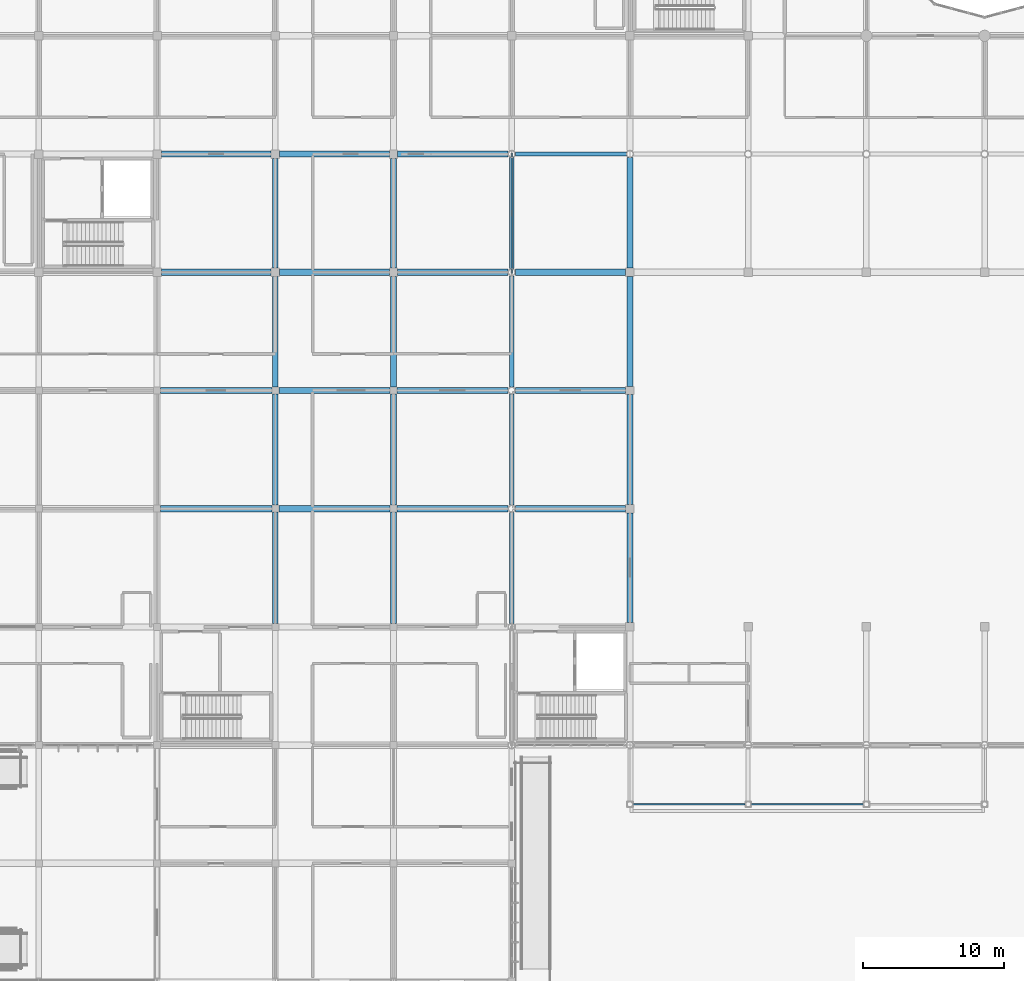
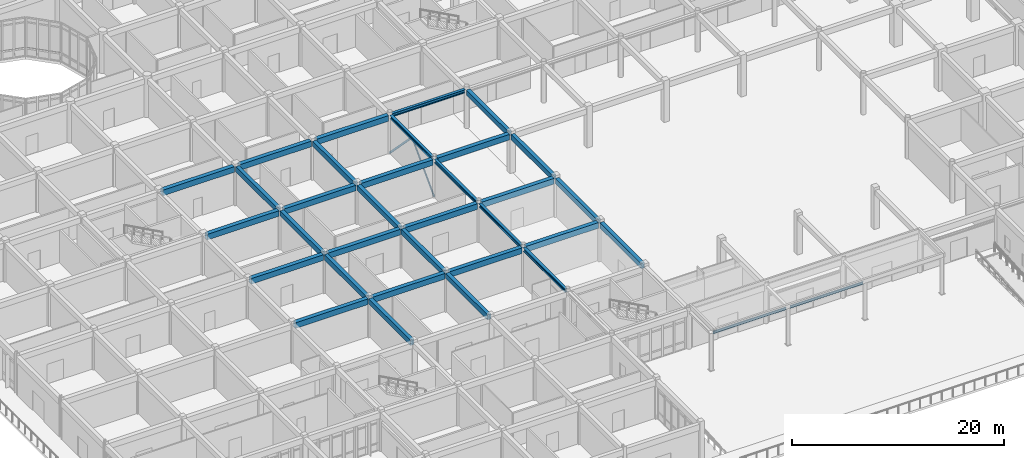
# One storey, part 17 of 138: 34 beams, 2 members.
"""IFC4 building model written with IfcOpenShell, lengths in metres."""

from ifc_helpers import new_model, si_unit, direction, frame, origin, origin_2d, place, context, subcontext, project, spatial, rectangle, hollow_rectangle, i_section, extrude, material, material_profile, profile_set, type_object, element, save


model = new_model("IFC4")

# Units and contexts
model_context = context("Model", 3, precision=1e-05, world=origin(), true_north=direction((0.0, 1.0)))
body_context = subcontext(model_context, "Body", "Model", "MODEL_VIEW")
ifc_project = project(units=[si_unit("LENGTHUNIT", "METRE"), si_unit("AREAUNIT", "SQUARE_METRE"), si_unit("VOLUMEUNIT", "CUBIC_METRE"), si_unit("PLANEANGLEUNIT", "RADIAN"), si_unit("MASSUNIT", "GRAM", prefix="KILO")], contexts=[model_context])

# Site, building, storey
site_placement = place(None, origin())
site = spatial("IfcSite", under=ifc_project, at=site_placement, CompositionType="ELEMENT")
building_placement = place(site_placement, origin())
building = spatial("IfcBuilding", under=site, at=building_placement, Name="Bramfleet General Hospital", CompositionType="ELEMENT")
storey_placement = place(building_placement, origin())
storey = spatial("IfcBuildingStorey", under=building, at=storey_placement, Name="L00", CompositionType="ELEMENT", Elevation=0.0)

# Beams
ifc_material_1 = material(Name="Steel S355", Category="steel")
ifc_material_profile_1 = material_profile(ifc_material_1, i_section(OverallWidth=0.300048828125, OverallDepth=0.389892578125, WebThickness=0.010986328125, FlangeThickness=0.01904296875, FilletRadius=0.027099609375, at=origin_2d()), Name="HEA 400")
ifc_profile_set_1 = profile_set([ifc_material_profile_1], Name="Steel S355")
beam_type_1 = type_object("IfcBeamType", Name="BM-HEA400", PredefinedType="BEAM", material=ifc_profile_set_1)
beam_1_placement = place(storey_placement, frame((50.654052734375, 58.800048828125, 4.304931640625), z_axis=(1.0, 0.0, 0.0), x_axis=(0.0, 1.0, 0.0)))
element("IfcBeam", 1, at=beam_1_placement, inside=storey, type_object=beam_type_1, Name="L00 Grid Beam X 06-07", PredefinedType="BEAM", context=body_context, shape_type="SweptSolid", body=[
    extrude(i_section(OverallWidth=0.300048828125, OverallDepth=0.389892578125, WebThickness=0.010986328125, FlangeThickness=0.01904296875, FilletRadius=0.027099609375, at=origin_2d()), origin(), (0.0, 0.0, 1.0), 7.891845703125),
])
ifc_material_profile_2 = material_profile(ifc_material_1, i_section(OverallWidth=0.300048828125, OverallDepth=0.39990234375, WebThickness=0.013427734375, FlangeThickness=0.02392578125, FilletRadius=0.027099609375, at=origin_2d()), Name="HEB 400")
ifc_profile_set_2 = profile_set([ifc_material_profile_2], Name="Steel S355")
beam_type_2 = type_object("IfcBeamType", Name="BM-HEB400", PredefinedType="BEAM", material=ifc_profile_set_2)
beam_2_placement = place(storey_placement, frame((50.39990234375, 25.4541015625, 4.300048828125), z_axis=(0.0, 1.0, 0.0), x_axis=(-1.0, 0.0, 0.0)))
element("IfcBeam", 2, at=beam_2_placement, inside=storey, type_object=beam_type_2, Name="L00 Grid Beam Y 06-03", PredefinedType="BEAM", context=body_context, shape_type="SweptSolid", body=[
    extrude(i_section(OverallWidth=0.300048828125, OverallDepth=0.39990234375, WebThickness=0.013427734375, FlangeThickness=0.02392578125, FilletRadius=0.027099609375, at=origin_2d()), origin(), (0.0, 0.0, 1.0), 7.891845703125),
])
for number, where, z_axis, x_axis, name in (
    (3, (50.39990234375, 33.85400390625, 4.300048828125), (0.0, 1.0, 0.0), (-1.0, 0.0, 0.0), "L00 Grid Beam Y 06-04"),
    (4, (50.39990234375, 42.25390625, 4.300048828125), (0.0, 1.0, 0.0), (-1.0, 0.0, 0.0), "L00 Grid Beam Y 06-05"),
):
    element("IfcBeam", number, at=place(storey_placement, frame(where, z_axis=z_axis, x_axis=x_axis)), inside=storey, type_object=beam_type_2, Name=name, PredefinedType="BEAM", context=body_context, shape_type="SweptSolid", body=[
        extrude(i_section(OverallWidth=0.300048828125, OverallDepth=0.39990234375, WebThickness=0.013427734375, FlangeThickness=0.02392578125, FilletRadius=0.027099609375, at=origin_2d()), origin(), (0.0, 0.0, 1.0), 7.89208984375),
    ])
beam_3_placement = place(storey_placement, frame((50.39990234375, 50.654052734375, 4.300048828125), z_axis=(0.0, 1.0, 0.0), x_axis=(-1.0, 0.0, 0.0)))
element("IfcBeam", 5, at=beam_3_placement, inside=storey, type_object=beam_type_2, Name="L00 Grid Beam Y 06-06", PredefinedType="BEAM", context=body_context, shape_type="SweptSolid", body=[
    extrude(i_section(OverallWidth=0.300048828125, OverallDepth=0.39990234375, WebThickness=0.013427734375, FlangeThickness=0.02392578125, FilletRadius=0.027099609375, at=origin_2d()), origin(), (0.0, 0.0, 1.0), 7.891845703125),
])
ifc_material_profile_3 = material_profile(ifc_material_1, i_section(OverallWidth=0.135009765625, OverallDepth=0.27001953125, WebThickness=0.006591796875, FlangeThickness=0.01025390625, FilletRadius=0.014892578125, at=origin_2d()), Name="IPE 270")
ifc_profile_set_3 = profile_set([ifc_material_profile_3], Name="Steel S355")
beam_type_3 = type_object("IfcBeamType", Name="BM-IPE270", PredefinedType="JOIST", material=ifc_profile_set_3)
for number, where, z_axis, x_axis, name in (
    (6, (59.010009765625, 12.60009765625, 4.2451171875), (1.0, 0.0, 0.0), (0.0, 1.0, 0.0), "Canopy Edge Beam 1"),
    (7, (67.409912109375, 12.60009765625, 4.2451171875), (1.0, 0.0, 0.0), (0.0, 1.0, 0.0), "Canopy Edge Beam 2"),
):
    element("IfcBeam", number, at=place(storey_placement, frame(where, z_axis=z_axis, x_axis=x_axis)), inside=storey, type_object=beam_type_3, Name=name, PredefinedType="JOIST", context=body_context, shape_type="SweptSolid", body=[
        extrude(i_section(OverallWidth=0.135009765625, OverallDepth=0.27001953125, WebThickness=0.006591796875, FlangeThickness=0.01025390625, FilletRadius=0.014892578125, at=origin_2d()), origin(), (0.0, 0.0, 1.0), 7.97998046875),
    ])
ifc_material_2 = material(Name="Concrete C35/45", Category="concrete")
ifc_material_profile_4 = material_profile(ifc_material_2, rectangle(XDim=0.39990234375, YDim=0.60009765625, at=origin_2d()), Name="RC BM 600x400")
ifc_profile_set_4 = profile_set([ifc_material_profile_4], Name="Concrete C35/45")
beam_type_4 = type_object("IfcBeamType", Name="BM-RC600", PredefinedType="BEAM", material=ifc_profile_set_4)
beam_4_placement = place(storey_placement, frame((33.60009765625, 25.449951171875, 4.199951171875), z_axis=(0.0, 1.0, 0.0), x_axis=(-1.0, 0.0, 0.0)))
element("IfcBeam", 8, at=beam_4_placement, inside=storey, type_object=beam_type_4, Name="L00 Grid Beam Y 04-03", PredefinedType="BEAM", context=body_context, shape_type="SweptSolid", body=[
    extrude(rectangle(XDim=0.39990234375, YDim=0.60009765625, at=origin_2d()), origin(), (0.0, 0.0, 1.0), 7.900146484375),
])
beam_5_placement = place(storey_placement, frame((33.60009765625, 33.85009765625, 4.199951171875), z_axis=(0.0, 1.0, 0.0), x_axis=(-1.0, 0.0, 0.0)))
element("IfcBeam", 9, at=beam_5_placement, inside=storey, type_object=beam_type_4, Name="L00 Grid Beam Y 04-04", PredefinedType="BEAM", context=body_context, shape_type="SweptSolid", body=[
    extrude(rectangle(XDim=0.39990234375, YDim=0.60009765625, at=origin_2d()), origin(), (0.0, 0.0, 1.0), 7.89990234375),
])
beam_6_placement = place(storey_placement, frame((33.60009765625, 42.25, 4.199951171875), z_axis=(0.0, 1.0, 0.0), x_axis=(-1.0, 0.0, 0.0)))
element("IfcBeam", 10, at=beam_6_placement, inside=storey, type_object=beam_type_4, Name="L00 Grid Beam Y 04-05", PredefinedType="BEAM", context=body_context, shape_type="SweptSolid", body=[
    extrude(rectangle(XDim=0.39990234375, YDim=0.60009765625, at=origin_2d()), origin(), (0.0, 0.0, 1.0), 7.85009765625),
])
beam_7_placement = place(storey_placement, frame((33.60009765625, 50.699951171875, 4.199951171875), z_axis=(0.0, 1.0, 0.0), x_axis=(-1.0, 0.0, 0.0)))
element("IfcBeam", 11, at=beam_7_placement, inside=storey, type_object=beam_type_4, Name="L00 Grid Beam Y 04-06", PredefinedType="BEAM", context=body_context, shape_type="SweptSolid", body=[
    extrude(rectangle(XDim=0.39990234375, YDim=0.60009765625, at=origin_2d()), origin(), (0.0, 0.0, 1.0), 7.800048828125),
])
beam_8_placement = place(storey_placement, frame((42.0, 25.449951171875, 4.199951171875), z_axis=(0.0, 1.0, 0.0), x_axis=(-1.0, 0.0, 0.0)))
element("IfcBeam", 12, at=beam_8_placement, inside=storey, type_object=beam_type_4, Name="L00 Grid Beam Y 05-03", PredefinedType="BEAM", context=body_context, shape_type="SweptSolid", body=[
    extrude(rectangle(XDim=0.39990234375, YDim=0.60009765625, at=origin_2d()), origin(), (0.0, 0.0, 1.0), 7.900146484375),
])
beam_9_placement = place(storey_placement, frame((42.0, 33.85009765625, 4.199951171875), z_axis=(0.0, 1.0, 0.0), x_axis=(-1.0, 0.0, 0.0)))
element("IfcBeam", 13, at=beam_9_placement, inside=storey, type_object=beam_type_4, Name="L00 Grid Beam Y 05-04", PredefinedType="BEAM", context=body_context, shape_type="SweptSolid", body=[
    extrude(rectangle(XDim=0.39990234375, YDim=0.60009765625, at=origin_2d()), origin(), (0.0, 0.0, 1.0), 7.89990234375),
])
beam_10_placement = place(storey_placement, frame((42.0, 42.25, 4.199951171875), z_axis=(0.0, 1.0, 0.0), x_axis=(-1.0, 0.0, 0.0)))
element("IfcBeam", 14, at=beam_10_placement, inside=storey, type_object=beam_type_4, Name="L00 Grid Beam Y 05-05", PredefinedType="BEAM", context=body_context, shape_type="SweptSolid", body=[
    extrude(rectangle(XDim=0.39990234375, YDim=0.60009765625, at=origin_2d()), origin(), (0.0, 0.0, 1.0), 7.85009765625),
])
for number, where, z_axis, x_axis, name in (
    (15, (42.0, 50.699951171875, 4.199951171875), (0.0, 1.0, 0.0), (-1.0, 0.0, 0.0), "L00 Grid Beam Y 05-06"),
    (16, (58.800048828125, 25.5, 4.199951171875), (0.0, 1.0, 0.0), (-1.0, 0.0, 0.0), "L00 Grid Beam Y 07-03"),
    (17, (58.800048828125, 33.89990234375, 4.199951171875), (0.0, 1.0, 0.0), (-1.0, 0.0, 0.0), "L00 Grid Beam Y 07-04"),
    (18, (58.800048828125, 42.300048828125, 4.199951171875), (0.0, 1.0, 0.0), (-1.0, 0.0, 0.0), "L00 Grid Beam Y 07-05"),
):
    element("IfcBeam", number, at=place(storey_placement, frame(where, z_axis=z_axis, x_axis=x_axis)), inside=storey, type_object=beam_type_4, Name=name, PredefinedType="BEAM", context=body_context, shape_type="SweptSolid", body=[
        extrude(rectangle(XDim=0.39990234375, YDim=0.60009765625, at=origin_2d()), origin(), (0.0, 0.0, 1.0), 7.800048828125),
    ])
beam_11_placement = place(storey_placement, frame((58.800048828125, 50.699951171875, 4.199951171875), z_axis=(0.0, 1.0, 0.0), x_axis=(-1.0, 0.0, 0.0)))
element("IfcBeam", 19, at=beam_11_placement, inside=storey, type_object=beam_type_4, Name="L00 Grid Beam Y 07-06", PredefinedType="BEAM", context=body_context, shape_type="SweptSolid", body=[
    extrude(rectangle(XDim=0.39990234375, YDim=0.60009765625, at=origin_2d()), origin(), (0.0, 0.0, 1.0), 7.845947265625),
])
ifc_material_profile_5 = material_profile(ifc_material_2, rectangle(XDim=0.449951171875, YDim=0.64990234375, at=origin_2d()), Name="RC BM 650x450")
ifc_profile_set_5 = profile_set([ifc_material_profile_5], Name="Concrete C35/45")
beam_type_5 = type_object("IfcBeamType", Name="BM-RC650", PredefinedType="BEAM", material=ifc_profile_set_5)
for number, where, z_axis, x_axis, name in (
    (20, (25.449951171875, 33.60009765625, 4.175048828125), (1.0, 0.0, 0.0), (0.0, 1.0, 0.0), "L00 Grid Beam X 03-04"),
    (21, (25.449951171875, 42.0, 4.175048828125), (1.0, 0.0, 0.0), (0.0, 1.0, 0.0), "L00 Grid Beam X 03-05"),
):
    element("IfcBeam", number, at=place(storey_placement, frame(where, z_axis=z_axis, x_axis=x_axis)), inside=storey, type_object=beam_type_5, Name=name, PredefinedType="BEAM", context=body_context, shape_type="SweptSolid", body=[
        extrude(rectangle(XDim=0.449951171875, YDim=0.64990234375, at=origin_2d()), origin(), (0.0, 0.0, 1.0), 7.900146484375),
    ])
for number, where, z_axis, x_axis, name in (
    (22, (25.5, 50.39990234375, 4.175048828125), (1.0, 0.0, 0.0), (0.0, 1.0, 0.0), "L00 Grid Beam X 03-06"),
    (23, (25.5, 58.800048828125, 4.175048828125), (1.0, 0.0, 0.0), (0.0, 1.0, 0.0), "L00 Grid Beam X 03-07"),
):
    element("IfcBeam", number, at=place(storey_placement, frame(where, z_axis=z_axis, x_axis=x_axis)), inside=storey, type_object=beam_type_5, Name=name, PredefinedType="BEAM", context=body_context, shape_type="SweptSolid", body=[
        extrude(rectangle(XDim=0.449951171875, YDim=0.64990234375, at=origin_2d()), origin(), (0.0, 0.0, 1.0), 7.800048828125),
    ])
for number, where, z_axis, x_axis, name in (
    (24, (33.85009765625, 33.60009765625, 4.175048828125), (1.0, 0.0, 0.0), (0.0, 1.0, 0.0), "L00 Grid Beam X 04-04"),
    (25, (33.85009765625, 42.0, 4.175048828125), (1.0, 0.0, 0.0), (0.0, 1.0, 0.0), "L00 Grid Beam X 04-05"),
):
    element("IfcBeam", number, at=place(storey_placement, frame(where, z_axis=z_axis, x_axis=x_axis)), inside=storey, type_object=beam_type_5, Name=name, PredefinedType="BEAM", context=body_context, shape_type="SweptSolid", body=[
        extrude(rectangle(XDim=0.449951171875, YDim=0.64990234375, at=origin_2d()), origin(), (0.0, 0.0, 1.0), 7.89990234375),
    ])
for number, where, z_axis, x_axis, name in (
    (26, (33.89990234375, 50.39990234375, 4.175048828125), (1.0, 0.0, 0.0), (0.0, 1.0, 0.0), "L00 Grid Beam X 04-06"),
    (27, (33.89990234375, 58.800048828125, 4.175048828125), (1.0, 0.0, 0.0), (0.0, 1.0, 0.0), "L00 Grid Beam X 04-07"),
):
    element("IfcBeam", number, at=place(storey_placement, frame(where, z_axis=z_axis, x_axis=x_axis)), inside=storey, type_object=beam_type_5, Name=name, PredefinedType="BEAM", context=body_context, shape_type="SweptSolid", body=[
        extrude(rectangle(XDim=0.449951171875, YDim=0.64990234375, at=origin_2d()), origin(), (0.0, 0.0, 1.0), 7.800048828125),
    ])
for number, where, z_axis, x_axis, name in (
    (28, (42.25, 33.60009765625, 4.175048828125), (1.0, 0.0, 0.0), (0.0, 1.0, 0.0), "L00 Grid Beam X 05-04"),
    (29, (42.25, 42.0, 4.175048828125), (1.0, 0.0, 0.0), (0.0, 1.0, 0.0), "L00 Grid Beam X 05-05"),
):
    element("IfcBeam", number, at=place(storey_placement, frame(where, z_axis=z_axis, x_axis=x_axis)), inside=storey, type_object=beam_type_5, Name=name, PredefinedType="BEAM", context=body_context, shape_type="SweptSolid", body=[
        extrude(rectangle(XDim=0.449951171875, YDim=0.64990234375, at=origin_2d()), origin(), (0.0, 0.0, 1.0), 7.89599609375),
    ])
for number, where, z_axis, x_axis, name in (
    (30, (42.300048828125, 50.39990234375, 4.175048828125), (1.0, 0.0, 0.0), (0.0, 1.0, 0.0), "L00 Grid Beam X 05-06"),
    (31, (42.300048828125, 58.800048828125, 4.175048828125), (1.0, 0.0, 0.0), (0.0, 1.0, 0.0), "L00 Grid Beam X 05-07"),
    (32, (50.654052734375, 33.60009765625, 4.175048828125), (1.0, 0.0, 0.0), (0.0, 1.0, 0.0), "L00 Grid Beam X 06-04"),
    (33, (50.654052734375, 42.0, 4.175048828125), (1.0, 0.0, 0.0), (0.0, 1.0, 0.0), "L00 Grid Beam X 06-05"),
    (34, (50.654052734375, 50.39990234375, 4.175048828125), (1.0, 0.0, 0.0), (0.0, 1.0, 0.0), "L00 Grid Beam X 06-06"),
):
    element("IfcBeam", number, at=place(storey_placement, frame(where, z_axis=z_axis, x_axis=x_axis)), inside=storey, type_object=beam_type_5, Name=name, PredefinedType="BEAM", context=body_context, shape_type="SweptSolid", body=[
        extrude(rectangle(XDim=0.449951171875, YDim=0.64990234375, at=origin_2d()), origin(), (0.0, 0.0, 1.0), 7.845947265625),
    ])

# Members
ifc_material_profile_6 = material_profile(ifc_material_1, hollow_rectangle(XDim=0.10009765625, YDim=0.199951171875, WallThickness=0.008056640625, at=origin_2d()), Name="RHS 200x100x8.0")
ifc_profile_set_6 = profile_set([ifc_material_profile_6], Name="Steel S355")
member_type = type_object("IfcMemberType", Name="MEM-BR-RHS200", PredefinedType="STRUT", material=ifc_profile_set_6)
member_1_placement = place(storey_placement, frame((50.39990234375, 50.39990234375, -0.02001953125), z_axis=(0.0, 0.69708938687, 0.71698423045), x_axis=(-1.0, 0.0, 0.0)))
element("IfcMember", 35, at=member_1_placement, inside=storey, type_object=member_type, Name="L00 Chevron Brace 11A", PredefinedType="STRUT", context=body_context, shape_type="SweptSolid", body=[
    extrude(hollow_rectangle(XDim=0.10009765625, YDim=0.199951171875, WallThickness=0.008056640625, at=origin_2d()), origin(), (0.0, 0.0, 1.0), 6.025390625),
])
member_2_placement = place(storey_placement, frame((50.39990234375, 58.800048828125, -0.02001953125), z_axis=(0.0, -0.697068556516, 0.717004482215), x_axis=(1.0, 0.0, 0.0)))
element("IfcMember", 36, at=member_2_placement, inside=storey, type_object=member_type, Name="L00 Chevron Brace 11B", PredefinedType="STRUT", context=body_context, shape_type="SweptSolid", body=[
    extrude(hollow_rectangle(XDim=0.10009765625, YDim=0.199951171875, WallThickness=0.008056640625, at=origin_2d()), origin(), (0.0, 0.0, 1.0), 6.025146484375),
])

save(model, "model.ifc")
